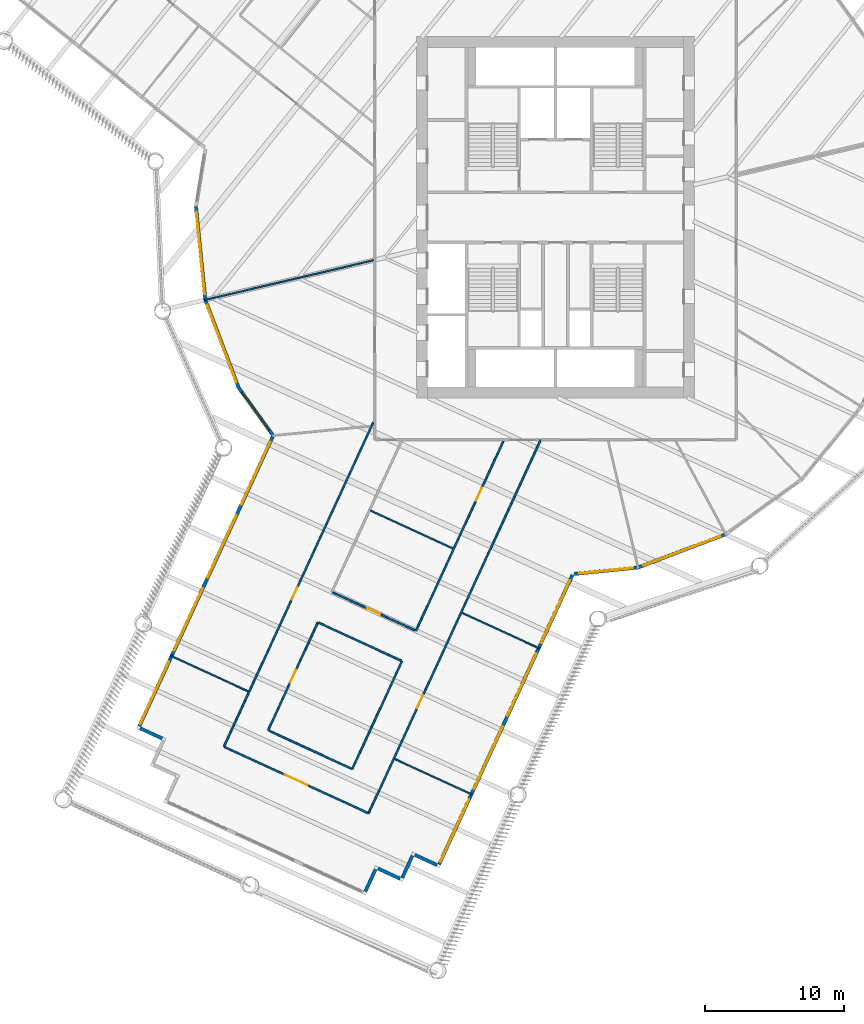
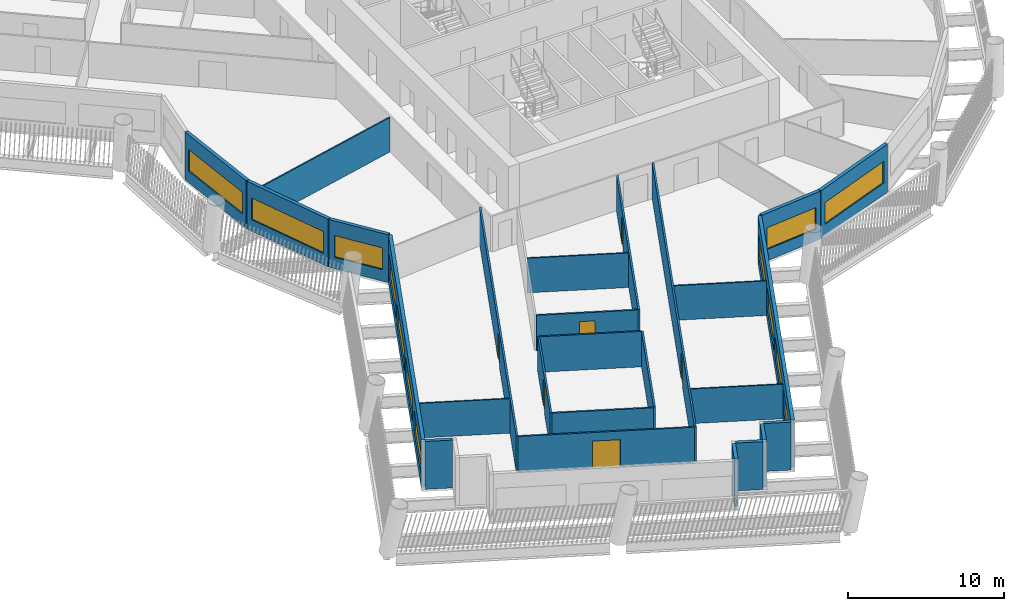
# One storey, part 3 of 16: 26 walls, 13 windows, 6 doors, 19 openings.
"""IFC4 building model written with IfcOpenShell, lengths in metres."""

import ifcopenshell
import ifcopenshell.guid

model = None  # the IFC model being written
_history = None  # IfcOwnerHistory: only IFC2X3 demands one
_inside = {}  # id of a spatial element -> (the spatial element, [elements in it])
_under = {}  # id of a project, library or spatial element -> (it, [spatial elements below it])
_declared = {}  # id of a project -> (the project, [libraries it declares])
_typed = {}  # id of a type object -> (the type object, [elements of that type])
_made_of = {}  # id of a material, layer set ... -> (it, [elements and type objects made of it])


def new_model(schema):
    """Start an empty IFC model of exactly this schema.

    Asked for "IFC4X3", IfcOpenShell would pick the latest addendum, in which some entities
    have other attributes; the version numbers below select the first issue.
    IFC2X3 requires an IfcOwnerHistory on every rooted entity: one is made here for all.
    """
    global model, _history
    if schema == "IFC4X3":
        model = ifcopenshell.file(schema_version=(4, 3, 0, 0))
    else:
        model = ifcopenshell.file(schema=schema)
    _inside.clear()
    _under.clear()
    _declared.clear()
    _typed.clear()
    _made_of.clear()
    _history = None
    if model.schema == "IFC2X3":
        org = make("IfcOrganization", Name="unknown")
        user = make(
            "IfcPersonAndOrganization",
            ThePerson=make("IfcPerson", FamilyName="unknown"),
            TheOrganization=org,
        )
        app = make(
            "IfcApplication",
            ApplicationDeveloper=org,
            Version="unknown",
            ApplicationFullName="unknown",
            ApplicationIdentifier="unknown",
        )
        _history = make(
            "IfcOwnerHistory",
            OwningUser=user,
            OwningApplication=app,
            ChangeAction="ADDED",
            CreationDate=0,
        )
    return model


def make(cls, **values):
    """One entity of the class cls with the attributes given. An attribute that is None is left unset."""
    return model.create_entity(
        cls, **{name: value for name, value in values.items() if value is not None}
    )


def rooted(cls, **values):
    """An entity with a GlobalId (a new one), such as an element, a storey or a relation."""
    return make(cls, GlobalId=ifcopenshell.guid.new(), OwnerHistory=_history, **values)


def si_unit(unit_type, name, prefix=None):
    """IfcSIUnit, for example si_unit("LENGTHUNIT", "METRE", prefix="MILLI")."""
    return make("IfcSIUnit", UnitType=unit_type, Prefix=prefix, Name=name)


def assignment(units):
    """IfcUnitAssignment: the units of a project."""
    return None if units is None else make("IfcUnitAssignment", Units=units)


def point(xyz):
    """IfcCartesianPoint."""
    return None if xyz is None else make("IfcCartesianPoint", Coordinates=xyz)


def direction(xyz):
    """IfcDirection."""
    return None if xyz is None else make("IfcDirection", DirectionRatios=xyz)


def frame(location, z_axis=None, x_axis=None):
    """IfcAxis2Placement3D, a coordinate frame: its origin and axes. An axis left out is left unset."""
    return make(
        "IfcAxis2Placement3D",
        Location=point(location),
        Axis=direction(z_axis),
        RefDirection=direction(x_axis),
    )


def frame_2d(location, x_axis=None):
    """IfcAxis2Placement2D, a coordinate frame in the plane: its origin and x axis."""
    return make(
        "IfcAxis2Placement2D", Location=point(location), RefDirection=direction(x_axis)
    )


def origin():
    """The frame at (0, 0, 0) with its axes left unset."""
    return frame((0.0, 0.0, 0.0))


def place(relative_to, where):
    """IfcLocalPlacement: puts the frame where relative to a parent placement (None: the world)."""
    return make(
        "IfcLocalPlacement", PlacementRelTo=relative_to, RelativePlacement=where
    )


def context(
    kind, dimensions, precision=None, world=None, true_north=None, identifier=None
):
    """IfcGeometricRepresentationContext, for example the 3D "Model" context."""
    return make(
        "IfcGeometricRepresentationContext",
        ContextIdentifier=identifier,
        ContextType=kind,
        CoordinateSpaceDimension=dimensions,
        Precision=precision,
        WorldCoordinateSystem=world,
        TrueNorth=true_north,
    )


def subcontext(parent, identifier, kind, view, scale=None):
    """IfcGeometricRepresentationSubContext, for example "Body" below "Model"."""
    return make(
        "IfcGeometricRepresentationSubContext",
        ContextIdentifier=identifier,
        ContextType=kind,
        ParentContext=parent,
        TargetScale=scale,
        TargetView=view,
    )


def project(units=None, contexts=None):
    """IfcProject with its units and contexts."""
    return rooted(
        "IfcProject",
        Name="project",
        RepresentationContexts=contexts,
        UnitsInContext=assignment(units),
    )


def spatial(cls, under=None, at=None, **own):
    """A site, building, storey or space (cls), placed at a placement, below another one or the project."""
    s = rooted(cls, ObjectPlacement=at, **own)
    if under is not None:
        _under.setdefault(under.id(), (under, []))[1].append(s)
    return s


def profile(cls, at=None, kind="AREA", **sizes):
    """A parametric profile (cls). Its sizes go by their IFC names, for example OverallWidth=200.0."""
    return make(cls, ProfileType=kind, Position=at, **sizes)


def rectangle(**sizes):
    """IfcRectangleProfileDef."""
    return profile("IfcRectangleProfileDef", **sizes)


def extrude(swept, where, along, depth):
    """IfcExtrudedAreaSolid: the profile swept, set in the frame where, extruded along a direction by depth."""
    return make(
        "IfcExtrudedAreaSolid",
        SweptArea=swept,
        Position=where,
        ExtrudedDirection=direction(along),
        Depth=depth,
    )


def shape(context_of_items, identifier, shape_type, items):
    """IfcShapeRepresentation: the items that make up one representation, for example the "Body"."""
    return make(
        "IfcShapeRepresentation",
        ContextOfItems=context_of_items,
        RepresentationIdentifier=identifier,
        RepresentationType=shape_type,
        Items=items,
    )


def material(Name=None, Category=None):
    """IfcMaterial."""
    return make("IfcMaterial", Name=Name, Category=Category)


def layer(
    of_material, thickness, ventilated=None, Name=None, Category=None, Priority=None
):
    """IfcMaterialLayer: one layer of a wall or slab, of a material (None: an air gap)."""
    return make(
        "IfcMaterialLayer",
        Material=of_material,
        LayerThickness=thickness,
        IsVentilated=ventilated,
        Name=Name,
        Category=Category,
        Priority=Priority,
    )


def layer_set(layers, Name=None):
    """IfcMaterialLayerSet."""
    return make("IfcMaterialLayerSet", MaterialLayers=layers, LayerSetName=Name)


def made_of(thing, what):
    """Note that an element or type object is made of a material, layer set ...; save() writes the relation."""
    if what is not None:
        _made_of.setdefault(what.id(), (what, []))[1].append(thing)
    return thing


def type_object(cls, material=None, **own):
    """A type object (cls), such as IfcWallType, which elements share."""
    return made_of(rooted(cls, **own), material)


def element(
    cls,
    number,
    at=None,
    inside=None,
    cuts=None,
    type_object=None,
    material=None,
    context=None,
    identifier="Body",
    shape_type=None,
    held_by="IfcProductDefinitionShape",
    body=None,
    shapes=None,
    **own,
):
    """One element of the class cls, such as IfcWall. Its Tag is "e" and its number.

    at: its placement. inside: the storey or other place that contains it. cuts: it is an
    opening in that element (IfcRelVoidsElement). A single representation is given by context,
    identifier, shape_type and body (its items); several are given by shapes. held_by: the class
    of the entity that holds the representations. save() writes the other relations.
    """
    e = rooted(cls, Tag="e%d" % number, ObjectPlacement=at, **own)
    if body is not None:
        shapes = [shape(context, identifier, shape_type, body)]
    if shapes is not None:
        e.Representation = make(held_by, Representations=shapes)
    if inside is not None:
        _inside.setdefault(inside.id(), (inside, []))[1].append(e)
    if cuts is not None:
        rooted(
            "IfcRelVoidsElement", RelatingBuildingElement=cuts, RelatedOpeningElement=e
        )
    if type_object is not None:
        _typed.setdefault(type_object.id(), (type_object, []))[1].append(e)
    return made_of(e, material)


def fill(opening, filler):
    """IfcRelFillsElement: the door or window that sits in an opening."""
    return rooted(
        "IfcRelFillsElement",
        RelatingOpeningElement=opening,
        RelatedBuildingElement=filler,
    )


def aggregate(whole, parts):
    """IfcRelAggregates: a whole, such as a stair, and the parts it consists of."""
    return rooted("IfcRelAggregates", RelatingObject=whole, RelatedObjects=parts)


def save(model, path):
    """Write the relations noted so far, then the file.

    IfcRelAggregates (storeys below a building ...), IfcRelContainedInSpatialStructure (elements
    in a storey), IfcRelDefinesByType, IfcRelAssociatesMaterial and IfcRelDeclares: one each for
    every whole, place, type object, material and project.
    """
    for whole, parts in _under.values():
        aggregate(whole, parts)
    for where, things in _inside.values():
        rooted(
            "IfcRelContainedInSpatialStructure",
            RelatedElements=things,
            RelatingStructure=where,
        )
    for kind, things in _typed.values():
        rooted("IfcRelDefinesByType", RelatedObjects=things, RelatingType=kind)
    for what, things in _made_of.values():
        rooted("IfcRelAssociatesMaterial", RelatedObjects=things, RelatingMaterial=what)
    for by, libraries in _declared.values():
        rooted("IfcRelDeclares", RelatingContext=by, RelatedDefinitions=libraries)
    model.write(path)


model = new_model("IFC4")

# Units and contexts
model_context = context("Model", 3, precision=1e-05, world=origin(), true_north=direction((0.0, 1.0)))
body_context = subcontext(model_context, "Body", "Model", "MODEL_VIEW")
ifc_project = project(units=[si_unit("LENGTHUNIT", "METRE"), si_unit("AREAUNIT", "SQUARE_METRE"), si_unit("VOLUMEUNIT", "CUBIC_METRE"), si_unit("PLANEANGLEUNIT", "RADIAN"), si_unit("MASSUNIT", "GRAM", prefix="KILO")], contexts=[model_context])

# Site, building, storey
site_placement = place(None, origin())
site = spatial("IfcSite", under=ifc_project, at=site_placement, CompositionType="ELEMENT")
building_placement = place(site_placement, origin())
building = spatial("IfcBuilding", under=site, at=building_placement, Name="Tarsis Ring Headquarters", CompositionType="ELEMENT")
storey_placement = place(building_placement, frame((0.0, 0.0, 112.300048828125)))
storey = spatial("IfcBuildingStorey", under=building, at=storey_placement, Name="L25", CompositionType="ELEMENT", Elevation=112.300048828125)

# Walls
ifc_material_1 = material(Name="Gypsum board on steel studs", Category="steel")
ifc_layer_1 = layer(ifc_material_1, 0.10009765625)
ifc_layer_set_1 = layer_set([ifc_layer_1], Name="FL partition 100 unrated")
wall_type_1 = type_object("IfcWallType", Name="FL partition 100 unrated", PredefinedType="PARTITIONING", material=ifc_layer_set_1)
wall_1_placement = place(storey_placement, frame((-25.256103515625, -5.95166015625, 0.0), z_axis=(0.0, 0.0, 1.0), x_axis=(0.97334040335, 0.229365340031, 0.0)))
element("IfcWall", 1, at=wall_1_placement, inside=storey, type_object=wall_type_1, Name="Partition PW3", PredefinedType="PARTITIONING", context=body_context, shape_type="SweptSolid", body=[
    extrude(rectangle(XDim=12.521728515625, YDim=0.10009765625, at=frame_2d((6.2607421875, 0.0))), origin(), (0.0, 0.0, 1.0), 2.699951171875),
])
wall_2_placement = place(storey_placement, frame((-13.30615234375, -21.0869140625, 0.0), z_axis=(0.0, 0.0, 1.0), x_axis=(0.908224421669, -0.418483452343, 0.0)))
element("IfcWall", 2, at=wall_2_placement, inside=storey, type_object=wall_type_1, Name="Partition PW3", PredefinedType="PARTITIONING", context=body_context, shape_type="SweptSolid", body=[
    extrude(rectangle(XDim=6.52001953125, YDim=0.10009765625, at=frame_2d((3.260009765625, 0.0))), origin(), (0.0, 0.0, 1.0), 2.699951171875),
])
for number, where, z_axis, x_axis, name in (
    (3, (-27.68115234375, -31.518310546875, 0.0), (0.0, 0.0, 1.0), (0.908217154467, -0.418499223813, 0.0), "Partition PW3"),
    (4, (-6.71826171875, -28.438720703125, 0.0), (0.0, 0.0, 1.0), (0.908217154467, -0.418499223813, 0.0), "Partition PW3"),
    (5, (-11.560302734375, -38.94677734375, 0.0), (0.0, 0.0, 1.0), (0.908217154467, -0.418499223813, 0.0), "Partition PW3"),
):
    element("IfcWall", number, at=place(storey_placement, frame(where, z_axis=z_axis, x_axis=x_axis)), inside=storey, type_object=wall_type_1, Name=name, PredefinedType="PARTITIONING", context=body_context, shape_type="SweptSolid", body=[
        extrude(rectangle(XDim=6.14990234375, YDim=0.10009765625, at=frame_2d((3.074951171875, 0.0))), origin(), (0.0, 0.0, 1.0), 2.699951171875),
    ])

# Wall, opening, door
ifc_layer_2 = layer(ifc_material_1, 0.125)
ifc_layer_set_2 = layer_set([ifc_layer_2], Name="FL partition 125 EI 60 H2770")
wall_type_2 = type_object("IfcWallType", Name="FL partition 125 EI 60 H2770", PredefinedType="PARTITIONING", material=ifc_layer_set_2)
wall_3_placement = place(storey_placement, frame((-13.440185546875, -42.85888671875, 0.0), z_axis=(0.0, 0.0, 1.0), x_axis=(0.418502124089, 0.908215818037, 0.0)))
wall_3 = element("IfcWall", 6, at=wall_3_placement, inside=storey, type_object=wall_type_2, Name="Partition PW1", PredefinedType="PARTITIONING", context=body_context, shape_type="SweptSolid", body=[
    extrude(rectangle(XDim=29.5732421875, YDim=0.125, at=frame_2d((14.78662109375, 0.0))), origin(), (0.0, 0.0, 1.0), 2.77001953125),
])
opening_1_placement = place(wall_3_placement, frame((8.343994140625, 0.0, 0.0)))
opening_1 = element("IfcOpeningElement", 7, at=opening_1_placement, cuts=wall_3, Name="Opening D25.12", PredefinedType="OPENING", context=body_context, shape_type="SweptSolid", body=[
    extrude(rectangle(XDim=1.0, YDim=2.10009765625, at=frame_2d((0.5, 1.050048828125))), frame((0.0, 0.072509765625, 0.0), z_axis=(0.0, -1.0, 0.0), x_axis=(1.0, 0.0, 0.0)), (0.0, 0.0, 1.0), 0.14501953125),
])
ifc_material_2 = material(Name="Fire-rated timber door leaf in steel frame", Category="steel")
door_type_1 = type_object("IfcDoorType", Name="FL door FD60-1000", OperationType="NOTDEFINED", PredefinedType="DOOR", material=ifc_material_2)
door_1_placement = place(opening_1_placement, origin())
door_1 = element("IfcDoor", 8, at=door_1_placement, inside=storey, type_object=door_type_1, Name="Door D25.12", OperationType="SINGLE_SWING_LEFT", OverallHeight=2.10009765625, OverallWidth=1.0, PredefinedType="DOOR", context=body_context, shape_type="SweptSolid", body=[
    extrude(rectangle(XDim=1.0, YDim=2.10009765625, at=frame_2d((0.5, 1.050048828125))), frame((0.0, 0.02490234375, 0.0), z_axis=(0.0, -1.0, 0.0), x_axis=(1.0, 0.0, 0.0)), (0.0, 0.0, 1.0), 0.050048828125),
])
fill(opening_1, door_1)

wall_4_placement = place(storey_placement, frame((-23.848388671875, -38.06298828125, 0.0), z_axis=(0.0, 0.0, 1.0), x_axis=(0.418502446795, 0.908215669335, 0.0)))
wall_4 = element("IfcWall", 9, at=wall_4_placement, inside=storey, type_object=wall_type_2, Name="Partition PW1", PredefinedType="PARTITIONING", context=body_context, shape_type="SweptSolid", body=[
    extrude(rectangle(XDim=25.66162109375, YDim=0.125, at=frame_2d((12.830810546875, 0.0))), origin(), (0.0, 0.0, 1.0), 2.77001953125),
])
opening_2_placement = place(wall_4_placement, frame((11.64990234375, 0.0, 0.0)))
opening_2 = element("IfcOpeningElement", 10, at=opening_2_placement, cuts=wall_4, Name="Opening D25.14", PredefinedType="OPENING", context=body_context, shape_type="SweptSolid", body=[
    extrude(rectangle(XDim=1.0, YDim=2.10009765625, at=frame_2d((0.5, 1.050048828125))), frame((0.0, 0.072509765625, 0.0), z_axis=(0.0, -1.0, 0.0), x_axis=(1.0, 0.0, 0.0)), (0.0, 0.0, 1.0), 0.14501953125),
])
door_2_placement = place(opening_2_placement, origin())
door_2 = element("IfcDoor", 11, at=door_2_placement, inside=storey, type_object=door_type_1, Name="Door D25.14", OperationType="SINGLE_SWING_LEFT", OverallHeight=2.10009765625, OverallWidth=1.0, PredefinedType="DOOR", context=body_context, shape_type="SweptSolid", body=[
    extrude(rectangle(XDim=1.0, YDim=2.10009765625, at=frame_2d((0.5, 1.050048828125))), frame((0.0, 0.02490234375, 0.0), z_axis=(0.0, -1.0, 0.0), x_axis=(1.0, 0.0, 0.0)), (0.0, 0.0, 1.0), 0.050048828125),
])
fill(opening_2, door_2)

wall_5_placement = place(storey_placement, frame((-10.032958984375, -29.72998046875, 0.0), z_axis=(0.0, 0.0, 1.0), x_axis=(0.418503824316, 0.908215034578, 0.0)))
wall_5 = element("IfcWall", 12, at=wall_5_placement, inside=storey, type_object=wall_type_2, Name="Partition PW1", PredefinedType="PARTITIONING", context=body_context, shape_type="SweptSolid", body=[
    extrude(rectangle(XDim=15.027587890625, YDim=0.125, at=frame_2d((7.513671875, 0.0))), origin(), (0.0, 0.0, 1.0), 2.77001953125),
])
opening_3_placement = place(wall_5_placement, frame((10.298583984375, 0.0, 0.0)))
opening_3 = element("IfcOpeningElement", 13, at=opening_3_placement, cuts=wall_5, Name="Opening D25.21", PredefinedType="OPENING", context=body_context, shape_type="SweptSolid", body=[
    extrude(rectangle(XDim=1.0, YDim=2.10009765625, at=frame_2d((0.5, 1.050048828125))), frame((0.0, 0.072509765625, 0.0), z_axis=(0.0, -1.0, 0.0), x_axis=(1.0, 0.0, 0.0)), (0.0, 0.0, 1.0), 0.14501953125),
])
door_3_placement = place(opening_3_placement, origin())
door_3 = element("IfcDoor", 14, at=door_3_placement, inside=storey, type_object=door_type_1, Name="Door D25.21", OperationType="SINGLE_SWING_RIGHT", OverallHeight=2.10009765625, OverallWidth=1.0, PredefinedType="DOOR", context=body_context, shape_type="SweptSolid", body=[
    extrude(rectangle(XDim=1.0, YDim=2.10009765625, at=frame_2d((0.5, 1.050048828125))), frame((0.0, 0.02490234375, 0.0), z_axis=(0.0, -1.0, 0.0), x_axis=(1.0, 0.0, 0.0)), (0.0, 0.0, 1.0), 0.050048828125),
])
fill(opening_3, door_3)

wall_6_placement = place(storey_placement, frame((-23.793701171875, -38.088134765625, 0.0), z_axis=(0.0, 0.0, 1.0), x_axis=(0.908213158412, -0.418507895848, 0.0)))
wall_6 = element("IfcWall", 15, at=wall_6_placement, inside=storey, type_object=wall_type_2, Name="Partition PW1", PredefinedType="PARTITIONING", context=body_context, shape_type="SweptSolid", body=[
    extrude(rectangle(XDim=11.33984375, YDim=0.125, at=frame_2d((5.669921875, 0.0))), origin(), (0.0, 0.0, 1.0), 2.77001953125),
])
opening_4_placement = place(wall_6_placement, frame((4.77001953125, 0.0, 0.0)))
opening_4 = element("IfcOpeningElement", 16, at=opening_4_placement, cuts=wall_6, Name="Opening D25.13", PredefinedType="OPENING", context=body_context, shape_type="SweptSolid", body=[
    extrude(rectangle(XDim=1.800048828125, YDim=2.10009765625, at=frame_2d((0.89990234375, 1.050048828125))), frame((0.0, 0.072509765625, 0.0), z_axis=(0.0, -1.0, 0.0), x_axis=(1.0, 0.0, 0.0)), (0.0, 0.0, 1.0), 0.14501953125),
])
door_type_2 = type_object("IfcDoorType", Name="FL door FD60-1800", OperationType="DOUBLE_DOOR_SINGLE_SWING", PredefinedType="DOOR", material=ifc_material_2)
door_4_placement = place(opening_4_placement, origin())
door_4 = element("IfcDoor", 17, at=door_4_placement, inside=storey, type_object=door_type_2, Name="Door D25.13", OperationType="DOUBLE_DOOR_SINGLE_SWING", OverallHeight=2.10009765625, OverallWidth=1.800048828125, PredefinedType="DOOR", context=body_context, shape_type="SweptSolid", body=[
    extrude(rectangle(XDim=1.800048828125, YDim=2.10009765625, at=frame_2d((0.89990234375, 1.050048828125))), frame((0.0, 0.02490234375, 0.0), z_axis=(0.0, -1.0, 0.0), x_axis=(1.0, 0.0, 0.0)), (0.0, 0.0, 1.0), 0.050048828125),
])
fill(opening_4, door_4)

wall_7_placement = place(storey_placement, frame((-20.664306640625, -36.8876953125, 0.0), z_axis=(0.0, 0.0, 1.0), x_axis=(0.418523926061, 0.908205771461, 0.0)))
wall_7 = element("IfcWall", 18, at=wall_7_placement, inside=storey, type_object=wall_type_2, Name="Partition PW1", PredefinedType="PARTITIONING", context=body_context, shape_type="SweptSolid", body=[
    extrude(rectangle(XDim=8.550048828125, YDim=0.125, at=frame_2d((4.27490234375, 0.0))), origin(), (0.0, 0.0, 1.0), 2.77001953125),
])
opening_5_placement = place(wall_7_placement, frame((3.77490234375, 0.0, 0.0)))
opening_5 = element("IfcOpeningElement", 19, at=opening_5_placement, cuts=wall_7, Name="Opening D25.23", PredefinedType="OPENING", context=body_context, shape_type="SweptSolid", body=[
    extrude(rectangle(XDim=1.0, YDim=2.10009765625, at=frame_2d((0.5, 1.050048828125))), frame((0.0, 0.072509765625, 0.0), z_axis=(0.0, -1.0, 0.0), x_axis=(1.0, 0.0, 0.0)), (0.0, 0.0, 1.0), 0.14501953125),
])
door_5_placement = place(opening_5_placement, origin())
door_5 = element("IfcDoor", 20, at=door_5_placement, inside=storey, type_object=door_type_1, Name="Door D25.23", OperationType="SINGLE_SWING_RIGHT", OverallHeight=2.10009765625, OverallWidth=1.0, PredefinedType="DOOR", context=body_context, shape_type="SweptSolid", body=[
    extrude(rectangle(XDim=1.0, YDim=2.10009765625, at=frame_2d((0.5, 1.050048828125))), frame((0.0, 0.02490234375, 0.0), z_axis=(0.0, -1.0, 0.0), x_axis=(1.0, 0.0, 0.0)), (0.0, 0.0, 1.0), 0.050048828125),
])
fill(opening_5, door_5)

# Wall
wall_8_placement = place(storey_placement, frame((-14.615478515625, -39.6748046875, 0.0), z_axis=(0.0, 0.0, 1.0), x_axis=(0.418500372775, 0.908216625033, 0.0)))
element("IfcWall", 21, at=wall_8_placement, inside=storey, type_object=wall_type_2, Name="Partition PW1", PredefinedType="PARTITIONING", context=body_context, shape_type="SweptSolid", body=[
    extrude(rectangle(XDim=8.5498046875, YDim=0.125, at=frame_2d((4.27490234375, 0.0))), origin(), (0.0, 0.0, 1.0), 2.77001953125),
])

# Wall, opening, door
wall_9_placement = place(storey_placement, frame((-16.027099609375, -26.9677734375, 0.0), z_axis=(0.0, 0.0, 1.0), x_axis=(0.908211609833, -0.418511256436, 0.0)))
wall_9 = element("IfcWall", 22, at=wall_9_placement, inside=storey, type_object=wall_type_2, Name="Partition PW1", PredefinedType="PARTITIONING", context=body_context, shape_type="SweptSolid", body=[
    extrude(rectangle(XDim=6.5400390625, YDim=0.125, at=frame_2d((3.27001953125, 0.0))), origin(), (0.0, 0.0, 1.0), 2.77001953125),
])
opening_6_placement = place(wall_9_placement, frame((2.77001953125, 0.0, 0.0)))
opening_6 = element("IfcOpeningElement", 23, at=opening_6_placement, cuts=wall_9, Name="Opening D25.22", PredefinedType="OPENING", context=body_context, shape_type="SweptSolid", body=[
    extrude(rectangle(XDim=1.0, YDim=2.10009765625, at=frame_2d((0.5, 1.050048828125))), frame((0.0, 0.072509765625, 0.0), z_axis=(0.0, -1.0, 0.0), x_axis=(1.0, 0.0, 0.0)), (0.0, 0.0, 1.0), 0.14501953125),
])
door_6_placement = place(opening_6_placement, origin())
door_6 = element("IfcDoor", 24, at=door_6_placement, inside=storey, type_object=door_type_1, Name="Door D25.22", OperationType="SINGLE_SWING_LEFT", OverallHeight=2.10009765625, OverallWidth=1.0, PredefinedType="DOOR", context=body_context, shape_type="SweptSolid", body=[
    extrude(rectangle(XDim=1.0, YDim=2.10009765625, at=frame_2d((0.5, 1.050048828125))), frame((0.0, 0.02490234375, 0.0), z_axis=(0.0, -1.0, 0.0), x_axis=(1.0, 0.0, 0.0)), (0.0, 0.0, 1.0), 0.050048828125),
])
fill(opening_6, door_6)

# Walls
wall_10_placement = place(storey_placement, frame((-17.031494140625, -29.147705078125, 0.0), z_axis=(0.0, 0.0, 1.0), x_axis=(0.908225798703, -0.418480463786, 0.0)))
element("IfcWall", 25, at=wall_10_placement, inside=storey, type_object=wall_type_2, Name="Partition PW1", PredefinedType="PARTITIONING", context=body_context, shape_type="SweptSolid", body=[
    extrude(rectangle(XDim=6.539794921875, YDim=0.125, at=frame_2d((3.27001953125, 0.0))), origin(), (0.0, 0.0, 1.0), 2.77001953125),
])
wall_11_placement = place(storey_placement, frame((-20.609619140625, -36.912841796875, 0.0), z_axis=(0.0, 0.0, 1.0), x_axis=(0.908211609833, -0.418511256436, 0.0)))
element("IfcWall", 26, at=wall_11_placement, inside=storey, type_object=wall_type_2, Name="Partition PW1", PredefinedType="PARTITIONING", context=body_context, shape_type="SweptSolid", body=[
    extrude(rectangle(XDim=6.5400390625, YDim=0.125, at=frame_2d((3.27001953125, 0.0))), origin(), (0.0, 0.0, 1.0), 2.77001953125),
])

# Wall, opening, window
ifc_material_3 = material(Name="Terracotta clad insulated panel wall", Category="masonry")
ifc_layer_3 = layer(ifc_material_3, 0.25)
ifc_layer_set_3 = layer_set([ifc_layer_3], Name="Facade wall terracotta panel 250")
wall_type_3 = type_object("IfcWallType", Name="Facade wall terracotta panel 250", PredefinedType="STANDARD", material=ifc_layer_set_3)
wall_12_placement = place(storey_placement, frame((-25.8603515625, 0.769287109375, 0.0), z_axis=(0.0, 0.0, 1.0), x_axis=(0.100355976317, -0.994951595816, 0.0)))
wall_12 = element("IfcWall", 27, at=wall_12_placement, inside=storey, type_object=wall_type_3, Name="External wall L25-03", PredefinedType="STANDARD", context=body_context, shape_type="SweptSolid", body=[
    extrude(rectangle(XDim=6.7216796875, YDim=0.25, at=frame_2d((3.36083984375, 0.0))), origin(), (0.0, 0.0, 1.0), 3.739990234375),
])
opening_7_placement = place(wall_12_placement, frame((0.3857421875, 0.0, 0.89990234375)))
opening_7 = element("IfcOpeningElement", 28, at=opening_7_placement, cuts=wall_12, Name="Opening WN07", PredefinedType="OPENING", context=body_context, shape_type="SweptSolid", body=[
    extrude(rectangle(XDim=5.949951171875, YDim=1.699951171875, at=frame_2d((2.97509765625, 0.85009765625))), frame((0.0, 0.135009765625, 0.0), z_axis=(0.0, -1.0, 0.0), x_axis=(1.0, 0.0, 0.0)), (0.0, 0.0, 1.0), 0.27001953125),
])
ifc_material_4 = material(Name="Aluminium framed double glazing", Category="aluminium")
window_type_1 = type_object("IfcWindowType", Name="Facade window 5950 x 1700", PartitioningType="SINGLE_PANEL", PredefinedType="WINDOW", material=ifc_material_4)
window_1_placement = place(opening_7_placement, origin())
window_1 = element("IfcWindow", 29, at=window_1_placement, inside=storey, type_object=window_type_1, Name="Window L25-03.1", OverallHeight=1.699951171875, OverallWidth=5.949951171875, PartitioningType="SINGLE_PANEL", PredefinedType="WINDOW", context=body_context, shape_type="SweptSolid", body=[
    extrude(rectangle(XDim=5.949951171875, YDim=1.699951171875, at=frame_2d((2.97509765625, 0.85009765625))), frame((0.0, 0.030029296875, 0.0), z_axis=(0.0, -1.0, 0.0), x_axis=(1.0, 0.0, 0.0)), (0.0, 0.0, 1.0), 0.06005859375),
])
fill(opening_7, window_1)

wall_13_placement = place(storey_placement, frame((-25.17822265625, -5.9501953125, 0.0), z_axis=(0.0, 0.0, 1.0), x_axis=(0.354445081718, -0.935076833231, 0.0)))
wall_13 = element("IfcWall", 30, at=wall_13_placement, inside=storey, type_object=wall_type_3, Name="External wall L25-04", PredefinedType="STANDARD", context=body_context, shape_type="SweptSolid", body=[
    extrude(rectangle(XDim=6.72119140625, YDim=0.25, at=frame_2d((3.360595703125, 0.0))), origin(), (0.0, 0.0, 1.0), 3.739990234375),
])
opening_8_placement = place(wall_13_placement, frame((0.3857421875, 0.0, 0.89990234375)))
opening_8 = element("IfcOpeningElement", 31, at=opening_8_placement, cuts=wall_13, Name="Opening WN07", PredefinedType="OPENING", context=body_context, shape_type="SweptSolid", body=[
    extrude(rectangle(XDim=5.949951171875, YDim=1.699951171875, at=frame_2d((2.97509765625, 0.85009765625))), frame((0.0, 0.135009765625, 0.0), z_axis=(0.0, -1.0, 0.0), x_axis=(1.0, 0.0, 0.0)), (0.0, 0.0, 1.0), 0.27001953125),
])
window_2_placement = place(opening_8_placement, origin())
window_2 = element("IfcWindow", 32, at=window_2_placement, inside=storey, type_object=window_type_1, Name="Window L25-04.1", OverallHeight=1.699951171875, OverallWidth=5.949951171875, PartitioningType="SINGLE_PANEL", PredefinedType="WINDOW", context=body_context, shape_type="SweptSolid", body=[
    extrude(rectangle(XDim=5.949951171875, YDim=1.699951171875, at=frame_2d((2.97509765625, 0.85009765625))), frame((0.0, 0.030029296875, 0.0), z_axis=(0.0, -1.0, 0.0), x_axis=(1.0, 0.0, 0.0)), (0.0, 0.0, 1.0), 0.06005859375),
])
fill(opening_8, window_2)

wall_14_placement = place(storey_placement, frame((-22.7802734375, -12.263916015625, 0.0), z_axis=(0.0, 0.0, 1.0), x_axis=(0.584355774995, -0.811497583625, 0.0)))
wall_14 = element("IfcWall", 33, at=wall_14_placement, inside=storey, type_object=wall_type_3, Name="External wall L25-05", PredefinedType="STANDARD", context=body_context, shape_type="SweptSolid", body=[
    extrude(rectangle(XDim=4.157470703125, YDim=0.25, at=frame_2d((2.07861328125, 0.0))), origin(), (0.0, 0.0, 1.0), 3.739990234375),
])
opening_9_placement = place(wall_14_placement, frame((0.38720703125, 0.0, 0.89990234375)))
opening_9 = element("IfcOpeningElement", 34, at=opening_9_placement, cuts=wall_14, Name="Opening WN01", PredefinedType="OPENING", context=body_context, shape_type="SweptSolid", body=[
    extrude(rectangle(XDim=3.35009765625, YDim=1.699951171875, at=frame_2d((1.675048828125, 0.85009765625))), frame((0.0, 0.135009765625, 0.0), z_axis=(0.0, -1.0, 0.0), x_axis=(1.0, 0.0, 0.0)), (0.0, 0.0, 1.0), 0.27001953125),
])
window_type_2 = type_object("IfcWindowType", Name="Facade window 3350 x 1700", PartitioningType="SINGLE_PANEL", PredefinedType="WINDOW", material=ifc_material_4)
window_3_placement = place(opening_9_placement, origin())
window_3 = element("IfcWindow", 35, at=window_3_placement, inside=storey, type_object=window_type_2, Name="Window L25-05.1", OverallHeight=1.699951171875, OverallWidth=3.35009765625, PartitioningType="SINGLE_PANEL", PredefinedType="WINDOW", context=body_context, shape_type="SweptSolid", body=[
    extrude(rectangle(XDim=3.35009765625, YDim=1.699951171875, at=frame_2d((1.675048828125, 0.85009765625))), frame((0.0, 0.030029296875, 0.0), z_axis=(0.0, -1.0, 0.0), x_axis=(1.0, 0.0, 0.0)), (0.0, 0.0, 1.0), 0.06005859375),
])
fill(opening_9, window_3)

# Wall, openings, windows
wall_15_placement = place(storey_placement, frame((-20.338623046875, -15.76318359375, 0.0), z_axis=(0.0, 0.0, 1.0), x_axis=(-0.418497493433, -0.90821795181, 0.0)))
wall_15 = element("IfcWall", 36, at=wall_15_placement, inside=storey, type_object=wall_type_3, Name="External wall L25-06", PredefinedType="STANDARD", context=body_context, shape_type="SweptSolid", body=[
    extrude(rectangle(XDim=22.921875, YDim=0.25, at=frame_2d((11.4609375, 0.0))), origin(), (0.0, 0.0, 1.0), 3.739990234375),
])
opening_10_placement = place(wall_15_placement, frame((0.42138671875, 0.0, 0.89990234375)))
opening_10 = element("IfcOpeningElement", 37, at=opening_10_placement, cuts=wall_15, Name="Opening WN05", PredefinedType="OPENING", context=body_context, shape_type="SweptSolid", body=[
    extrude(rectangle(XDim=4.949951171875, YDim=1.699951171875, at=frame_2d((2.47509765625, 0.85009765625))), frame((0.0, 0.135009765625, 0.0), z_axis=(0.0, -1.0, 0.0), x_axis=(1.0, 0.0, 0.0)), (0.0, 0.0, 1.0), 0.27001953125),
])
opening_11_placement = place(wall_15_placement, frame((6.214599609375, 0.0, 0.89990234375)))
opening_11 = element("IfcOpeningElement", 38, at=opening_11_placement, cuts=wall_15, Name="Opening WN05", PredefinedType="OPENING", context=body_context, shape_type="SweptSolid", body=[
    extrude(rectangle(XDim=4.949951171875, YDim=1.699951171875, at=frame_2d((2.47509765625, 0.85009765625))), frame((0.0, 0.135009765625, 0.0), z_axis=(0.0, -1.0, 0.0), x_axis=(1.0, 0.0, 0.0)), (0.0, 0.0, 1.0), 0.27001953125),
])
opening_12_placement = place(wall_15_placement, frame((12.007568359375, 0.0, 0.89990234375)))
opening_12 = element("IfcOpeningElement", 39, at=opening_12_placement, cuts=wall_15, Name="Opening WN05", PredefinedType="OPENING", context=body_context, shape_type="SweptSolid", body=[
    extrude(rectangle(XDim=4.949951171875, YDim=1.699951171875, at=frame_2d((2.47509765625, 0.85009765625))), frame((0.0, 0.135009765625, 0.0), z_axis=(0.0, -1.0, 0.0), x_axis=(1.0, 0.0, 0.0)), (0.0, 0.0, 1.0), 0.27001953125),
])
opening_13_placement = place(wall_15_placement, frame((17.800537109375, 0.0, 0.89990234375)))
opening_13 = element("IfcOpeningElement", 40, at=opening_13_placement, cuts=wall_15, Name="Opening WN05", PredefinedType="OPENING", context=body_context, shape_type="SweptSolid", body=[
    extrude(rectangle(XDim=4.949951171875, YDim=1.699951171875, at=frame_2d((2.47509765625, 0.85009765625))), frame((0.0, 0.135009765625, 0.0), z_axis=(0.0, -1.0, 0.0), x_axis=(1.0, 0.0, 0.0)), (0.0, 0.0, 1.0), 0.27001953125),
])
window_type_3 = type_object("IfcWindowType", Name="Facade window 4950 x 1700", PartitioningType="SINGLE_PANEL", PredefinedType="WINDOW", material=ifc_material_4)
window_4_placement = place(opening_10_placement, origin())
window_4 = element("IfcWindow", 41, at=window_4_placement, inside=storey, type_object=window_type_3, Name="Window L25-06.1", OverallHeight=1.699951171875, OverallWidth=4.949951171875, PartitioningType="SINGLE_PANEL", PredefinedType="WINDOW", context=body_context, shape_type="SweptSolid", body=[
    extrude(rectangle(XDim=4.949951171875, YDim=1.699951171875, at=frame_2d((2.47509765625, 0.85009765625))), frame((0.0, 0.030029296875, 0.0), z_axis=(0.0, -1.0, 0.0), x_axis=(1.0, 0.0, 0.0)), (0.0, 0.0, 1.0), 0.06005859375),
])
fill(opening_10, window_4)
window_5_placement = place(opening_11_placement, origin())
window_5 = element("IfcWindow", 42, at=window_5_placement, inside=storey, type_object=window_type_3, Name="Window L25-06.2", OverallHeight=1.699951171875, OverallWidth=4.949951171875, PartitioningType="SINGLE_PANEL", PredefinedType="WINDOW", context=body_context, shape_type="SweptSolid", body=[
    extrude(rectangle(XDim=4.949951171875, YDim=1.699951171875, at=frame_2d((2.47509765625, 0.85009765625))), frame((0.0, 0.030029296875, 0.0), z_axis=(0.0, -1.0, 0.0), x_axis=(1.0, 0.0, 0.0)), (0.0, 0.0, 1.0), 0.06005859375),
])
fill(opening_11, window_5)
window_6_placement = place(opening_12_placement, origin())
window_6 = element("IfcWindow", 43, at=window_6_placement, inside=storey, type_object=window_type_3, Name="Window L25-06.3", OverallHeight=1.699951171875, OverallWidth=4.949951171875, PartitioningType="SINGLE_PANEL", PredefinedType="WINDOW", context=body_context, shape_type="SweptSolid", body=[
    extrude(rectangle(XDim=4.949951171875, YDim=1.699951171875, at=frame_2d((2.47509765625, 0.85009765625))), frame((0.0, 0.030029296875, 0.0), z_axis=(0.0, -1.0, 0.0), x_axis=(1.0, 0.0, 0.0)), (0.0, 0.0, 1.0), 0.06005859375),
])
fill(opening_12, window_6)
window_7_placement = place(opening_13_placement, origin())
window_7 = element("IfcWindow", 44, at=window_7_placement, inside=storey, type_object=window_type_3, Name="Window L25-06.4", OverallHeight=1.699951171875, OverallWidth=4.949951171875, PartitioningType="SINGLE_PANEL", PredefinedType="WINDOW", context=body_context, shape_type="SweptSolid", body=[
    extrude(rectangle(XDim=4.949951171875, YDim=1.699951171875, at=frame_2d((2.47509765625, 0.85009765625))), frame((0.0, 0.030029296875, 0.0), z_axis=(0.0, -1.0, 0.0), x_axis=(1.0, 0.0, 0.0)), (0.0, 0.0, 1.0), 0.06005859375),
])
fill(opening_13, window_7)

# Walls
for number, where, z_axis, x_axis, name in (
    (45, (-29.870361328125, -36.7470703125, 0.0), (0.0, 0.0, 1.0), (0.908204220922, -0.418527290747, 0.0), "External wall L25-07"),
    (46, (-13.668212890625, -48.4794921875, 0.0), (0.0, 0.0, 1.0), (0.418527290747, 0.908204220922, 0.0), "External wall L25-12"),
    (47, (-12.77001953125, -46.828857421875, 0.0), (0.0, 0.0, 1.0), (0.908204220922, -0.418527290747, 0.0), "External wall L25-13"),
    (48, (-11.014892578125, -47.5, 0.0), (0.0, 0.0, 1.0), (0.418527290747, 0.908204220922, 0.0), "External wall L25-14"),
):
    element("IfcWall", number, at=place(storey_placement, frame(where, z_axis=z_axis, x_axis=x_axis)), inside=storey, type_object=wall_type_3, Name=name, PredefinedType="STANDARD", context=body_context, shape_type="SweptSolid", body=[
        extrude(rectangle(XDim=1.75, YDim=0.25, at=frame_2d((0.875, 0.0))), origin(), (0.0, 0.0, 1.0), 3.739990234375),
    ])
wall_16_placement = place(storey_placement, frame((-10.11669921875, -45.849365234375, 0.0), z_axis=(0.0, 0.0, 1.0), x_axis=(0.908228653402, -0.418474268193, 0.0)))
element("IfcWall", 49, at=wall_16_placement, inside=storey, type_object=wall_type_3, Name="External wall L25-15", PredefinedType="STANDARD", context=body_context, shape_type="SweptSolid", body=[
    extrude(rectangle(XDim=1.750244140625, YDim=0.25, at=frame_2d((0.875, 0.0))), origin(), (0.0, 0.0, 1.0), 3.739990234375),
])

# Wall, openings, windows
wall_17_placement = place(storey_placement, frame((-8.361328125, -46.5205078125, 0.0), z_axis=(0.0, 0.0, 1.0), x_axis=(0.418501721402, 0.908216003594, 0.0)))
wall_17 = element("IfcWall", 50, at=wall_17_placement, inside=storey, type_object=wall_type_3, Name="External wall L25-16", PredefinedType="STANDARD", context=body_context, shape_type="SweptSolid", body=[
    extrude(rectangle(XDim=22.9013671875, YDim=0.25, at=frame_2d((11.45068359375, 0.0))), origin(), (0.0, 0.0, 1.0), 3.739990234375),
])
opening_14_placement = place(wall_17_placement, frame((0.1689453125, 0.0, 0.89990234375)))
opening_14 = element("IfcOpeningElement", 51, at=opening_14_placement, cuts=wall_17, Name="Opening WN05", PredefinedType="OPENING", context=body_context, shape_type="SweptSolid", body=[
    extrude(rectangle(XDim=4.949951171875, YDim=1.699951171875, at=frame_2d((2.47509765625, 0.85009765625))), frame((0.0, 0.135009765625, 0.0), z_axis=(0.0, -1.0, 0.0), x_axis=(1.0, 0.0, 0.0)), (0.0, 0.0, 1.0), 0.27001953125),
])
opening_15_placement = place(wall_17_placement, frame((5.956787109375, 0.0, 0.89990234375)))
opening_15 = element("IfcOpeningElement", 52, at=opening_15_placement, cuts=wall_17, Name="Opening WN05", PredefinedType="OPENING", context=body_context, shape_type="SweptSolid", body=[
    extrude(rectangle(XDim=4.949951171875, YDim=1.699951171875, at=frame_2d((2.47509765625, 0.85009765625))), frame((0.0, 0.135009765625, 0.0), z_axis=(0.0, -1.0, 0.0), x_axis=(1.0, 0.0, 0.0)), (0.0, 0.0, 1.0), 0.27001953125),
])
opening_16_placement = place(wall_17_placement, frame((11.74462890625, 0.0, 0.89990234375)))
opening_16 = element("IfcOpeningElement", 53, at=opening_16_placement, cuts=wall_17, Name="Opening WN05", PredefinedType="OPENING", context=body_context, shape_type="SweptSolid", body=[
    extrude(rectangle(XDim=4.949951171875, YDim=1.699951171875, at=frame_2d((2.47509765625, 0.85009765625))), frame((0.0, 0.135009765625, 0.0), z_axis=(0.0, -1.0, 0.0), x_axis=(1.0, 0.0, 0.0)), (0.0, 0.0, 1.0), 0.27001953125),
])
opening_17_placement = place(wall_17_placement, frame((17.532470703125, 0.0, 0.89990234375)))
opening_17 = element("IfcOpeningElement", 54, at=opening_17_placement, cuts=wall_17, Name="Opening WN05", PredefinedType="OPENING", context=body_context, shape_type="SweptSolid", body=[
    extrude(rectangle(XDim=4.949951171875, YDim=1.699951171875, at=frame_2d((2.47509765625, 0.85009765625))), frame((0.0, 0.135009765625, 0.0), z_axis=(0.0, -1.0, 0.0), x_axis=(1.0, 0.0, 0.0)), (0.0, 0.0, 1.0), 0.27001953125),
])
window_8_placement = place(opening_14_placement, origin())
window_8 = element("IfcWindow", 55, at=window_8_placement, inside=storey, type_object=window_type_3, Name="Window L25-16.1", OverallHeight=1.699951171875, OverallWidth=4.949951171875, PartitioningType="SINGLE_PANEL", PredefinedType="WINDOW", context=body_context, shape_type="SweptSolid", body=[
    extrude(rectangle(XDim=4.949951171875, YDim=1.699951171875, at=frame_2d((2.47509765625, 0.85009765625))), frame((0.0, 0.030029296875, 0.0), z_axis=(0.0, -1.0, 0.0), x_axis=(1.0, 0.0, 0.0)), (0.0, 0.0, 1.0), 0.06005859375),
])
fill(opening_14, window_8)
window_9_placement = place(opening_15_placement, origin())
window_9 = element("IfcWindow", 56, at=window_9_placement, inside=storey, type_object=window_type_3, Name="Window L25-16.2", OverallHeight=1.699951171875, OverallWidth=4.949951171875, PartitioningType="SINGLE_PANEL", PredefinedType="WINDOW", context=body_context, shape_type="SweptSolid", body=[
    extrude(rectangle(XDim=4.949951171875, YDim=1.699951171875, at=frame_2d((2.47509765625, 0.85009765625))), frame((0.0, 0.030029296875, 0.0), z_axis=(0.0, -1.0, 0.0), x_axis=(1.0, 0.0, 0.0)), (0.0, 0.0, 1.0), 0.06005859375),
])
fill(opening_15, window_9)
window_10_placement = place(opening_16_placement, origin())
window_10 = element("IfcWindow", 57, at=window_10_placement, inside=storey, type_object=window_type_3, Name="Window L25-16.3", OverallHeight=1.699951171875, OverallWidth=4.949951171875, PartitioningType="SINGLE_PANEL", PredefinedType="WINDOW", context=body_context, shape_type="SweptSolid", body=[
    extrude(rectangle(XDim=4.949951171875, YDim=1.699951171875, at=frame_2d((2.47509765625, 0.85009765625))), frame((0.0, 0.030029296875, 0.0), z_axis=(0.0, -1.0, 0.0), x_axis=(1.0, 0.0, 0.0)), (0.0, 0.0, 1.0), 0.06005859375),
])
fill(opening_16, window_10)
window_11_placement = place(opening_17_placement, origin())
window_11 = element("IfcWindow", 58, at=window_11_placement, inside=storey, type_object=window_type_3, Name="Window L25-16.4", OverallHeight=1.699951171875, OverallWidth=4.949951171875, PartitioningType="SINGLE_PANEL", PredefinedType="WINDOW", context=body_context, shape_type="SweptSolid", body=[
    extrude(rectangle(XDim=4.949951171875, YDim=1.699951171875, at=frame_2d((2.47509765625, 0.85009765625))), frame((0.0, 0.030029296875, 0.0), z_axis=(0.0, -1.0, 0.0), x_axis=(1.0, 0.0, 0.0)), (0.0, 0.0, 1.0), 0.06005859375),
])
fill(opening_17, window_11)

# Wall, opening, window
wall_18_placement = place(storey_placement, frame((1.32373046875, -25.649169921875, 0.0), z_axis=(0.0, 0.0, 1.0), x_axis=(0.994953088384, 0.100341177564, 0.0)))
wall_18 = element("IfcWall", 59, at=wall_18_placement, inside=storey, type_object=wall_type_3, Name="External wall L25-17", PredefinedType="STANDARD", context=body_context, shape_type="SweptSolid", body=[
    extrude(rectangle(XDim=4.617919921875, YDim=0.25, at=frame_2d((2.30908203125, 0.0))), origin(), (0.0, 0.0, 1.0), 3.739990234375),
])
opening_18_placement = place(wall_18_placement, frame((0.400390625, 0.0, 0.89990234375)))
opening_18 = element("IfcOpeningElement", 60, at=opening_18_placement, cuts=wall_18, Name="Opening WN02", PredefinedType="OPENING", context=body_context, shape_type="SweptSolid", body=[
    extrude(rectangle(XDim=3.85009765625, YDim=1.699951171875, at=frame_2d((1.925048828125, 0.85009765625))), frame((0.0, 0.135009765625, 0.0), z_axis=(0.0, -1.0, 0.0), x_axis=(1.0, 0.0, 0.0)), (0.0, 0.0, 1.0), 0.27001953125),
])
window_type_4 = type_object("IfcWindowType", Name="Facade window 3850 x 1700", PartitioningType="SINGLE_PANEL", PredefinedType="WINDOW", material=ifc_material_4)
window_12_placement = place(opening_18_placement, origin())
window_12 = element("IfcWindow", 61, at=window_12_placement, inside=storey, type_object=window_type_4, Name="Window L25-17.1", OverallHeight=1.699951171875, OverallWidth=3.85009765625, PartitioningType="SINGLE_PANEL", PredefinedType="WINDOW", context=body_context, shape_type="SweptSolid", body=[
    extrude(rectangle(XDim=3.85009765625, YDim=1.699951171875, at=frame_2d((1.925048828125, 0.85009765625))), frame((0.0, 0.030029296875, 0.0), z_axis=(0.0, -1.0, 0.0), x_axis=(1.0, 0.0, 0.0)), (0.0, 0.0, 1.0), 0.06005859375),
])
fill(opening_18, window_12)

wall_19_placement = place(storey_placement, frame((5.9501953125, -25.17822265625, 0.0), z_axis=(0.0, 0.0, 1.0), x_axis=(0.935076833231, 0.354445081718, 0.0)))
wall_19 = element("IfcWall", 62, at=wall_19_placement, inside=storey, type_object=wall_type_3, Name="External wall L25-18", PredefinedType="STANDARD", context=body_context, shape_type="SweptSolid", body=[
    extrude(rectangle(XDim=6.72119140625, YDim=0.25, at=frame_2d((3.360595703125, 0.0))), origin(), (0.0, 0.0, 1.0), 3.739990234375),
])
opening_19_placement = place(wall_19_placement, frame((0.3857421875, 0.0, 0.89990234375)))
opening_19 = element("IfcOpeningElement", 63, at=opening_19_placement, cuts=wall_19, Name="Opening WN07", PredefinedType="OPENING", context=body_context, shape_type="SweptSolid", body=[
    extrude(rectangle(XDim=5.949951171875, YDim=1.699951171875, at=frame_2d((2.97509765625, 0.85009765625))), frame((0.0, 0.135009765625, 0.0), z_axis=(0.0, -1.0, 0.0), x_axis=(1.0, 0.0, 0.0)), (0.0, 0.0, 1.0), 0.27001953125),
])
window_13_placement = place(opening_19_placement, origin())
window_13 = element("IfcWindow", 64, at=window_13_placement, inside=storey, type_object=window_type_1, Name="Window L25-18.1", OverallHeight=1.699951171875, OverallWidth=5.949951171875, PartitioningType="SINGLE_PANEL", PredefinedType="WINDOW", context=body_context, shape_type="SweptSolid", body=[
    extrude(rectangle(XDim=5.949951171875, YDim=1.699951171875, at=frame_2d((2.97509765625, 0.85009765625))), frame((0.0, 0.030029296875, 0.0), z_axis=(0.0, -1.0, 0.0), x_axis=(1.0, 0.0, 0.0)), (0.0, 0.0, 1.0), 0.06005859375),
])
fill(opening_19, window_13)

save(model, "model.ifc")
